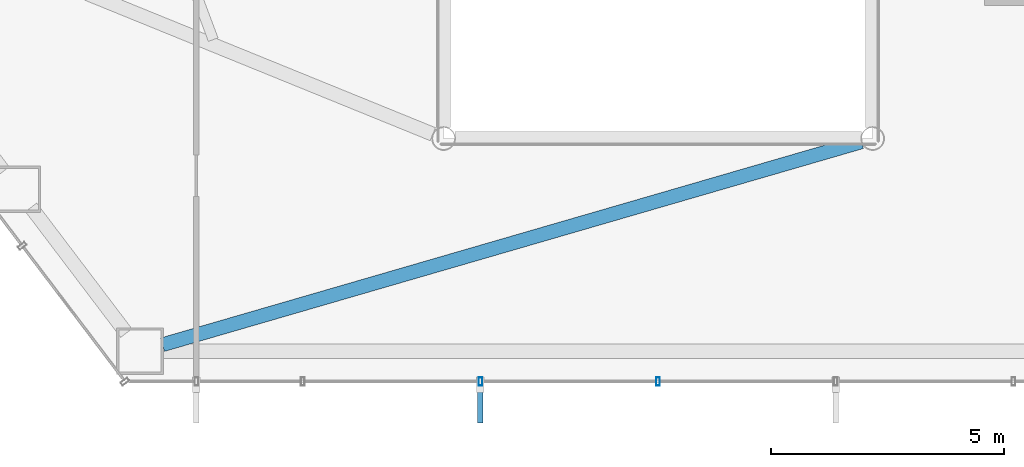
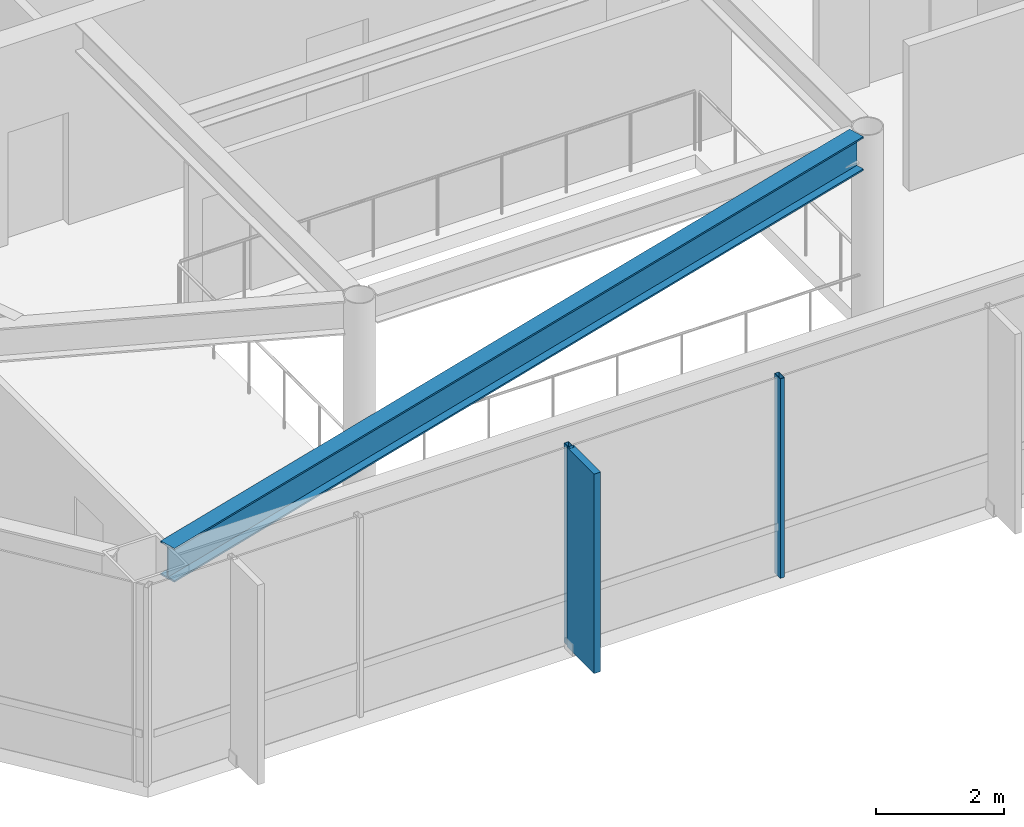
# One storey, part 5 of 26: 3 members, 1 beam, 1 element without a shape of its own.
"""IFC4 building model written with IfcOpenShell, lengths in metres."""

from ifc_helpers import new_model, si_unit, direction, frame, origin, origin_2d, place, context, subcontext, project, spatial, rectangle, hollow_rectangle, i_section, extrude, material, layer, layer_set, material_profile, profile_set, type_object, element, aggregate, save


model = new_model("IFC4")

# Units and contexts
model_context = context("Model", 3, precision=1e-05, world=origin(), true_north=direction((0.0, 1.0)))
body_context = subcontext(model_context, "Body", "Model", "MODEL_VIEW")
ifc_project = project(units=[si_unit("LENGTHUNIT", "METRE"), si_unit("AREAUNIT", "SQUARE_METRE"), si_unit("VOLUMEUNIT", "CUBIC_METRE"), si_unit("PLANEANGLEUNIT", "RADIAN"), si_unit("MASSUNIT", "GRAM", prefix="KILO")], contexts=[model_context])

# Site, building, storey
site_placement = place(None, origin())
site = spatial("IfcSite", under=ifc_project, at=site_placement, CompositionType="ELEMENT")
building_placement = place(site_placement, origin())
building = spatial("IfcBuilding", under=site, at=building_placement, Name="Zarrinselat Tower", CompositionType="ELEMENT")
storey_placement = place(building_placement, frame((0.0, 0.0, 27.5400390625)))
storey = spatial("IfcBuildingStorey", under=building, at=storey_placement, Name="L06", CompositionType="ELEMENT", Elevation=27.5400390625)

# Beam
ifc_material_1 = material(Name="Steel S355J2", Category="steel")
ifc_material_profile_1 = material_profile(ifc_material_1, i_section(OverallWidth=0.300048828125, OverallDepth=0.64990234375, WebThickness=0.01611328125, FlangeThickness=0.031005859375, at=origin_2d()), Name="HEB 650")
ifc_profile_set_1 = profile_set([ifc_material_profile_1], Name="Steel S355J2")
beam_type = type_object("IfcBeamType", Name="BM-HEB650", PredefinedType="BEAM", material=ifc_profile_set_1)
beam_placement = place(storey_placement, frame((27.773681640625, 19.980224609375, 3.494873046875), z_axis=(0.960359468461, 0.278764580494, 0.0), x_axis=(-0.278764580494, 0.960359468461, 0.0)))
element("IfcBeam", 1, at=beam_placement, inside=storey, type_object=beam_type, Name="L06 Radial Primary Girder RG10", PredefinedType="BEAM", context=body_context, shape_type="SweptSolid", body=[
    extrude(i_section(OverallWidth=0.300048828125, OverallDepth=0.64990234375, WebThickness=0.01611328125, FlangeThickness=0.031005859375, at=origin_2d()), origin(), (0.0, 0.0, 1.0), 15.60498046875),
])

# Curtain wall, members
ifc_material_2 = material(Name="Extruded Aluminium Alloy EN AW-6063 T6", Category="aluminium")
ifc_layer = layer(ifc_material_2, 0.18505859375)
ifc_layer_set = layer_set([ifc_layer], Name="Extruded Aluminium Alloy EN AW-6063 T6")
curtain_wall_type = type_object("IfcCurtainWallType", Name="CWS-OFF", PredefinedType="NOTDEFINED", material=ifc_layer_set)
curtain_wall_placement = place(storey_placement, origin())
curtain_wall = element("IfcCurtainWall", 2, at=curtain_wall_placement, inside=storey, type_object=curtain_wall_type, Name="L06 Unitised Curtain Wall CW-L06-E04", PredefinedType="NOTDEFINED")
ifc_material_3 = material(Name="Extruded Aluminium Alloy EN AW-6063 T6", Category="aluminium")
ifc_material_profile_2 = material_profile(ifc_material_3, hollow_rectangle(XDim=0.080078125, YDim=0.179931640625, WallThickness=0.0048828125, at=origin_2d()), Name="RHS 180x80x5")
ifc_profile_set_2 = profile_set([ifc_material_profile_2], Name="Extruded Aluminium Alloy EN AW-6063 T6")
member_type_1 = type_object("IfcMemberType", Name="MEM-CW-MUL", PredefinedType="MULLION", material=ifc_profile_set_2)
member_1_placement = place(storey_placement, frame((34.589599609375, 19.1904296875, 0.0), z_axis=(0.0, 0.0, 1.0), x_axis=(1.0, 0.0, 0.0)))
member_1 = element("IfcMember", 3, at=member_1_placement, type_object=member_type_1, Name="CW-L06-E04 Mullion 3", PredefinedType="MULLION", context=body_context, shape_type="SweptSolid", body=[
    extrude(hollow_rectangle(XDim=0.080078125, YDim=0.179931640625, WallThickness=0.0048828125, at=origin_2d()), origin(), (0.0, 0.0, 1.0), 3.820068359375),
])
member_2_placement = place(storey_placement, frame((38.39990234375, 19.1904296875, 0.0), z_axis=(0.0, 0.0, 1.0), x_axis=(1.0, 0.0, 0.0)))
member_2 = element("IfcMember", 4, at=member_2_placement, type_object=member_type_1, Name="CW-L06-E04 Mullion 4", PredefinedType="MULLION", context=body_context, shape_type="SweptSolid", body=[
    extrude(hollow_rectangle(XDim=0.080078125, YDim=0.179931640625, WallThickness=0.0048828125, at=origin_2d()), origin(), (0.0, 0.0, 1.0), 3.820068359375),
])
ifc_material_4 = material(Name="Honed Cream Travertine Stone", Category="masonry")
ifc_material_profile_3 = material_profile(ifc_material_4, rectangle(XDim=0.1201171875, YDim=0.85009765625, at=origin_2d()), Name="FIN 850x120")
ifc_profile_set_3 = profile_set([ifc_material_profile_3], Name="Honed Cream Travertine Stone")
member_type_2 = type_object("IfcMemberType", Name="MEM-STONE-FIN", PredefinedType="USERDEFINED", material=ifc_profile_set_3)
member_3_placement = place(storey_placement, frame((34.589599609375, 18.73046875, 0.0), z_axis=(0.0, 0.0, 1.0), x_axis=(-1.0, 0.0, 0.0)))
member_3 = element("IfcMember", 5, at=member_3_placement, type_object=member_type_2, Name="L06 Stone Shading Fin CW-L06-E04-03", ObjectType="FIN", PredefinedType="USERDEFINED", context=body_context, shape_type="SweptSolid", body=[
    extrude(rectangle(XDim=0.1201171875, YDim=0.85009765625, at=origin_2d()), origin(), (0.0, 0.0, 1.0), 3.820068359375),
])
aggregate(curtain_wall, [member_1, member_3, member_2])

save(model, "model.ifc")
